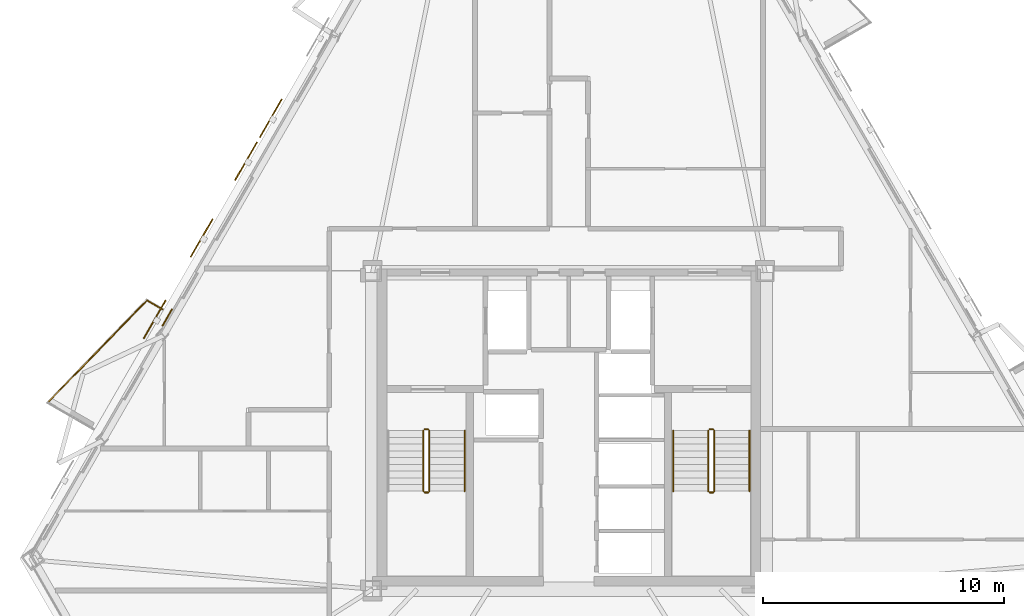
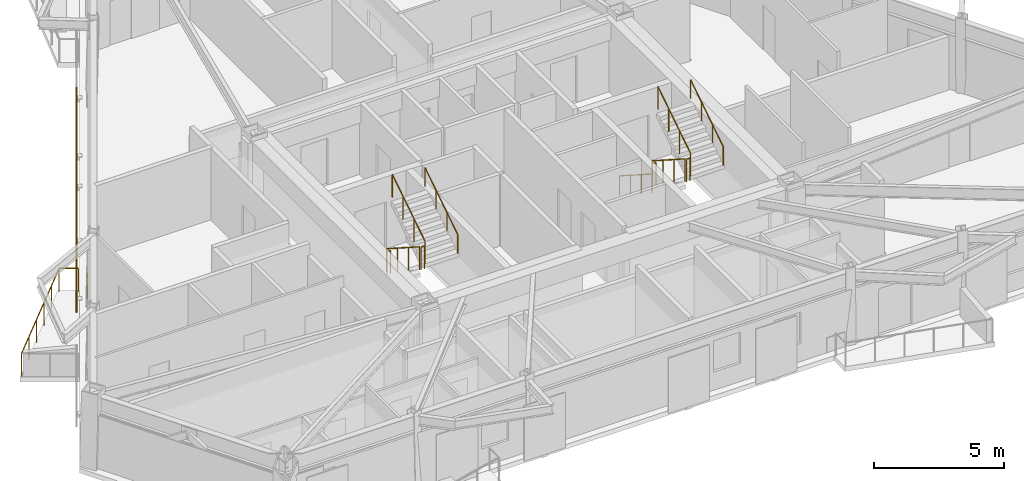
# One storey, part 8 of 9: 13 railings, 4 shading devices, 1 covering.
"""IFC4 building model written with IfcOpenShell, lengths in metres."""

from ifc_helpers import new_model, si_unit, direction, frame, origin, origin_2d, place, context, subcontext, project, spatial, rectangle, circle, extrude, material, layer, layer_set, type_object, element, save


model = new_model("IFC4")

# Units and contexts
model_context = context("Model", 3, precision=1e-05, world=origin(), true_north=direction((0.0, 1.0)))
body_context = subcontext(model_context, "Body", "Model", "MODEL_VIEW")
ifc_project = project(units=[si_unit("LENGTHUNIT", "METRE"), si_unit("AREAUNIT", "SQUARE_METRE"), si_unit("VOLUMEUNIT", "CUBIC_METRE"), si_unit("PLANEANGLEUNIT", "RADIAN"), si_unit("MASSUNIT", "GRAM", prefix="KILO")], contexts=[model_context])

# Site, building, storey
site_placement = place(None, origin())
site = spatial("IfcSite", under=ifc_project, at=site_placement, CompositionType="ELEMENT")
building_placement = place(site_placement, origin())
building = spatial("IfcBuilding", under=site, at=building_placement, Name="Oramaril Tower", CompositionType="ELEMENT")
storey_placement = place(building_placement, frame((0.0, 0.0, 167.39990234375)))
storey = spatial("IfcBuildingStorey", under=building, at=storey_placement, Name="L44", CompositionType="ELEMENT", Elevation=167.39990234375)

# Covering
ifc_material_1 = material(Name="Warm Cream Limestone", Category="masonry")
ifc_layer = layer(ifc_material_1, 0.050048828125)
ifc_layer_set = layer_set([ifc_layer], Name="CVT-CLD")
covering_type = type_object("IfcCoveringType", Name="CVT-CLD", PredefinedType="CLADDING", material=ifc_layer_set)
covering_placement = place(storey_placement, frame((20.8271484375, 22.28466796875, 0.0400390625), z_axis=(0.0, 0.0, 1.0), x_axis=(-0.5, -0.866025403784, 0.0)))
element("IfcCovering", 1, at=covering_placement, inside=storey, type_object=covering_type, Name="L44 Warm Cream Limestone Spandrel Cladding", PredefinedType="CLADDING", context=body_context, shape_type="SweptSolid", body=[
    extrude(rectangle(XDim=0.800048828125, YDim=0.050048828125, at=origin_2d()), origin(), (0.0, 0.0, 1.0), 0.679931640625),
])

# Railings
ifc_material_2 = material(Name="Stainless Steel 316L", Category="steel")
railing_type_1 = type_object("IfcRailingType", Name="RLT-GRD", PredefinedType="GUARDRAIL", material=ifc_material_2)
railing_1_placement = place(storey_placement, frame((15.86572265625, 18.755126953125, 0.0)))
element("IfcRailing", 2, at=railing_1_placement, inside=storey, type_object=railing_type_1, Name="L44 Balcony Guardrail L44-BAL-NW2.2", PredefinedType="GUARDRAIL", context=body_context, shape_type="SweptSolid", body=[
    extrude(circle(Radius=0.02392578125, at=origin_2d()), frame((0.0, 0.0, 1.076171875), z_axis=(0.697186915353, 0.716889395277, 0.0), x_axis=(-0.716889395277, 0.697186915353, 0.0)), (0.0, 0.0, 1.0), 5.91064453125),
    extrude(circle(Radius=0.02099609375, at=origin_2d()), origin(), (0.0, 0.0, 1.0), 1.052001953125),
    extrude(circle(Radius=0.02099609375, at=origin_2d()), frame((0.82421875, 0.847412109375, 0.0)), (0.0, 0.0, 1.0), 1.052001953125),
    extrude(circle(Radius=0.02099609375, at=origin_2d()), frame((1.6484375, 1.69482421875, 0.0)), (0.0, 0.0, 1.0), 1.052001953125),
    extrude(circle(Radius=0.02099609375, at=origin_2d()), frame((2.472412109375, 2.54248046875, 0.0)), (0.0, 0.0, 1.0), 1.052001953125),
    extrude(circle(Radius=0.02099609375, at=origin_2d()), frame((3.296630859375, 3.389892578125, 0.0)), (0.0, 0.0, 1.0), 1.052001953125),
    extrude(circle(Radius=0.02099609375, at=origin_2d()), frame((4.120849609375, 4.2373046875, 0.0)), (0.0, 0.0, 1.0), 1.052001953125),
])
railing_2_placement = place(storey_placement, frame((19.986572265625, 22.992431640625, 0.0)))
element("IfcRailing", 3, at=railing_2_placement, inside=storey, type_object=railing_type_1, Name="L44 Balcony Guardrail L44-BAL-NW2.3", PredefinedType="GUARDRAIL", context=body_context, shape_type="SweptSolid", body=[
    extrude(circle(Radius=0.02392578125, at=origin_2d()), frame((0.0, 0.0, 1.076171875), z_axis=(0.865884080729, -0.500244698863, 0.0), x_axis=(0.500244698863, 0.865884080729, 0.0)), (0.0, 0.0, 1.0), 0.741943359375),
    extrude(circle(Radius=0.02099609375, at=origin_2d()), origin(), (0.0, 0.0, 1.0), 1.052001953125),
    extrude(circle(Radius=0.02099609375, at=origin_2d()), frame((0.642333984375, -0.37109375, 0.0)), (0.0, 0.0, 1.0), 1.052001953125),
])
railing_3_placement = place(storey_placement, frame((31.4599609375, 17.590087890625, 0.18017578125)))
element("IfcRailing", 4, at=railing_3_placement, inside=storey, type_object=railing_type_1, Name="L44 ST-1 stair guard 1", PredefinedType="GUARDRAIL", context=body_context, shape_type="SweptSolid", body=[
    extrude(circle(Radius=0.02392578125, at=origin_2d()), frame((0.0, 0.0, 1.076171875), z_axis=(0.0, -0.841199657755, 0.540724639528), x_axis=(1.0, 0.0, 0.0)), (0.0, 0.0, 1.0), 2.995849609375),
    extrude(circle(Radius=0.02099609375, at=origin_2d()), origin(), (0.0, 0.0, 1.0), 1.052001953125),
    extrude(circle(Radius=0.02099609375, at=origin_2d()), frame((0.0, -0.840087890625, 0.5400390625)), (0.0, 0.0, 1.0), 1.052001953125),
    extrude(circle(Radius=0.02099609375, at=origin_2d()), frame((0.0, -1.679931640625, 1.079833984375)), (0.0, 0.0, 1.0), 1.052001953125),
    extrude(circle(Radius=0.02099609375, at=origin_2d()), frame((0.0, -2.52001953125, 1.619873046875)), (0.0, 0.0, 1.0), 1.052001953125),
])
railing_4_placement = place(storey_placement, frame((31.510009765625, 15.02001953125, 1.800048828125)))
element("IfcRailing", 5, at=railing_4_placement, inside=storey, type_object=railing_type_1, Name="L44 ST-1 stair guard 2", PredefinedType="GUARDRAIL", context=body_context, shape_type="SweptSolid", body=[
    extrude(circle(Radius=0.02392578125, at=origin_2d()), frame((0.0, 0.0, 1.076171875), z_axis=(1.0, 0.0, 0.0), x_axis=(0.0, 1.0, 0.0)), (0.0, 0.0, 1.0), 0.14990234375),
    extrude(circle(Radius=0.02099609375, at=origin_2d()), origin(), (0.0, 0.0, 1.0), 1.052001953125),
    extrude(circle(Radius=0.02099609375, at=origin_2d()), frame((0.14990234375, 0.0, 0.0)), (0.0, 0.0, 1.0), 1.052001953125),
])
railing_5_placement = place(storey_placement, frame((31.7099609375, 15.070068359375, 1.97998046875)))
element("IfcRailing", 6, at=railing_5_placement, inside=storey, type_object=railing_type_1, Name="L44 ST-1 stair guard 3", PredefinedType="GUARDRAIL", context=body_context, shape_type="SweptSolid", body=[
    extrude(circle(Radius=0.02392578125, at=origin_2d()), frame((0.0, 0.0, 1.076171875), z_axis=(0.0, 0.841162588446, 0.540782303519), x_axis=(-1.0, 0.0, 0.0)), (0.0, 0.0, 1.0), 2.995849609375),
    extrude(circle(Radius=0.02099609375, at=origin_2d()), origin(), (0.0, 0.0, 1.0), 1.052001953125),
    extrude(circle(Radius=0.02099609375, at=origin_2d()), frame((0.0, 0.840087890625, 0.5400390625)), (0.0, 0.0, 1.0), 1.052001953125),
    extrude(circle(Radius=0.02099609375, at=origin_2d()), frame((0.0, 1.679931640625, 1.080078125)), (0.0, 0.0, 1.0), 1.052001953125),
    extrude(circle(Radius=0.02099609375, at=origin_2d()), frame((0.0, 2.52001953125, 1.6201171875)), (0.0, 0.0, 1.0), 1.052001953125),
])
railing_6_placement = place(storey_placement, frame((31.510009765625, 17.639892578125, 0.0)))
element("IfcRailing", 7, at=railing_6_placement, inside=storey, type_object=railing_type_1, Name="L44 ST-1 stair guard 4", PredefinedType="GUARDRAIL", context=body_context, shape_type="SweptSolid", body=[
    extrude(circle(Radius=0.02392578125, at=origin_2d()), frame((0.0, 0.0, 1.076171875), z_axis=(1.0, 0.0, 0.0), x_axis=(0.0, 1.0, 0.0)), (0.0, 0.0, 1.0), 0.14990234375),
    extrude(circle(Radius=0.02099609375, at=origin_2d()), origin(), (0.0, 0.0, 1.0), 1.052001953125),
    extrude(circle(Radius=0.02099609375, at=origin_2d()), frame((0.14990234375, 0.0, 0.0)), (0.0, 0.0, 1.0), 1.052001953125),
])
railing_7_placement = place(storey_placement, frame((43.2900390625, 17.590087890625, 0.18017578125)))
element("IfcRailing", 8, at=railing_7_placement, inside=storey, type_object=railing_type_1, Name="L44 ST-2 stair guard 1", PredefinedType="GUARDRAIL", context=body_context, shape_type="SweptSolid", body=[
    extrude(circle(Radius=0.02392578125, at=origin_2d()), frame((0.0, 0.0, 1.076171875), z_axis=(0.0, -0.841199657755, 0.540724639528), x_axis=(1.0, 0.0, 0.0)), (0.0, 0.0, 1.0), 2.995849609375),
    extrude(circle(Radius=0.02099609375, at=origin_2d()), origin(), (0.0, 0.0, 1.0), 1.052001953125),
    extrude(circle(Radius=0.02099609375, at=origin_2d()), frame((0.0, -0.840087890625, 0.5400390625)), (0.0, 0.0, 1.0), 1.052001953125),
    extrude(circle(Radius=0.02099609375, at=origin_2d()), frame((0.0, -1.679931640625, 1.079833984375)), (0.0, 0.0, 1.0), 1.052001953125),
    extrude(circle(Radius=0.02099609375, at=origin_2d()), frame((0.0, -2.52001953125, 1.619873046875)), (0.0, 0.0, 1.0), 1.052001953125),
])
railing_8_placement = place(storey_placement, frame((43.340087890625, 15.02001953125, 1.800048828125)))
element("IfcRailing", 9, at=railing_8_placement, inside=storey, type_object=railing_type_1, Name="L44 ST-2 stair guard 2", PredefinedType="GUARDRAIL", context=body_context, shape_type="SweptSolid", body=[
    extrude(circle(Radius=0.02392578125, at=origin_2d()), frame((0.0, 0.0, 1.076171875), z_axis=(1.0, 0.0, 0.0), x_axis=(0.0, 1.0, 0.0)), (0.0, 0.0, 1.0), 0.14990234375),
    extrude(circle(Radius=0.02099609375, at=origin_2d()), origin(), (0.0, 0.0, 1.0), 1.052001953125),
    extrude(circle(Radius=0.02099609375, at=origin_2d()), frame((0.14990234375, 0.0, 0.0)), (0.0, 0.0, 1.0), 1.052001953125),
])
railing_9_placement = place(storey_placement, frame((43.5400390625, 15.070068359375, 1.97998046875)))
element("IfcRailing", 10, at=railing_9_placement, inside=storey, type_object=railing_type_1, Name="L44 ST-2 stair guard 3", PredefinedType="GUARDRAIL", context=body_context, shape_type="SweptSolid", body=[
    extrude(circle(Radius=0.02392578125, at=origin_2d()), frame((0.0, 0.0, 1.076171875), z_axis=(0.0, 0.841162588446, 0.540782303519), x_axis=(-1.0, 0.0, 0.0)), (0.0, 0.0, 1.0), 2.995849609375),
    extrude(circle(Radius=0.02099609375, at=origin_2d()), origin(), (0.0, 0.0, 1.0), 1.052001953125),
    extrude(circle(Radius=0.02099609375, at=origin_2d()), frame((0.0, 0.840087890625, 0.5400390625)), (0.0, 0.0, 1.0), 1.052001953125),
    extrude(circle(Radius=0.02099609375, at=origin_2d()), frame((0.0, 1.679931640625, 1.080078125)), (0.0, 0.0, 1.0), 1.052001953125),
    extrude(circle(Radius=0.02099609375, at=origin_2d()), frame((0.0, 2.52001953125, 1.6201171875)), (0.0, 0.0, 1.0), 1.052001953125),
])
railing_10_placement = place(storey_placement, frame((43.340087890625, 17.639892578125, 0.0)))
element("IfcRailing", 11, at=railing_10_placement, inside=storey, type_object=railing_type_1, Name="L44 ST-2 stair guard 4", PredefinedType="GUARDRAIL", context=body_context, shape_type="SweptSolid", body=[
    extrude(circle(Radius=0.02392578125, at=origin_2d()), frame((0.0, 0.0, 1.076171875), z_axis=(1.0, 0.0, 0.0), x_axis=(0.0, 1.0, 0.0)), (0.0, 0.0, 1.0), 0.14990234375),
    extrude(circle(Radius=0.02099609375, at=origin_2d()), origin(), (0.0, 0.0, 1.0), 1.052001953125),
    extrude(circle(Radius=0.02099609375, at=origin_2d()), frame((0.14990234375, 0.0, 0.0)), (0.0, 0.0, 1.0), 1.052001953125),
])
ifc_material_3 = material(Name="Stainless Steel 316L", Category="steel")
railing_type_2 = type_object("IfcRailingType", Name="RLT-HND", PredefinedType="HANDRAIL", material=ifc_material_3)
railing_11_placement = place(storey_placement, frame((33.169921875, 15.070068359375, 1.97998046875)))
element("IfcRailing", 12, at=railing_11_placement, inside=storey, type_object=railing_type_2, Name="L44 ST-1 stair handrail 2", PredefinedType="HANDRAIL", context=body_context, shape_type="SweptSolid", body=[
    extrude(circle(Radius=0.02392578125, at=origin_2d()), frame((0.0, 0.0, 0.8759765625), z_axis=(0.0, 0.841162588446, 0.540782303519), x_axis=(-1.0, 0.0, 0.0)), (0.0, 0.0, 1.0), 2.995849609375),
    extrude(circle(Radius=0.02099609375, at=origin_2d()), origin(), (0.0, 0.0, 1.0), 0.851806640625),
    extrude(circle(Radius=0.02099609375, at=origin_2d()), frame((0.0, 0.840087890625, 0.5400390625)), (0.0, 0.0, 1.0), 0.851806640625),
    extrude(circle(Radius=0.02099609375, at=origin_2d()), frame((0.0, 1.679931640625, 1.080078125)), (0.0, 0.0, 1.0), 0.851806640625),
    extrude(circle(Radius=0.02099609375, at=origin_2d()), frame((0.0, 2.52001953125, 1.6201171875)), (0.0, 0.0, 1.0), 0.851806640625),
])
railing_12_placement = place(storey_placement, frame((41.830078125, 17.590087890625, 0.18017578125)))
element("IfcRailing", 13, at=railing_12_placement, inside=storey, type_object=railing_type_2, Name="L44 ST-2 stair handrail 1", PredefinedType="HANDRAIL", context=body_context, shape_type="SweptSolid", body=[
    extrude(circle(Radius=0.02392578125, at=origin_2d()), frame((0.0, 0.0, 0.8759765625), z_axis=(0.0, -0.841199657755, 0.540724639528), x_axis=(1.0, 0.0, 0.0)), (0.0, 0.0, 1.0), 2.995849609375),
    extrude(circle(Radius=0.02099609375, at=origin_2d()), origin(), (0.0, 0.0, 1.0), 0.851806640625),
    extrude(circle(Radius=0.02099609375, at=origin_2d()), frame((0.0, -0.840087890625, 0.5400390625)), (0.0, 0.0, 1.0), 0.851806640625),
    extrude(circle(Radius=0.02099609375, at=origin_2d()), frame((0.0, -1.679931640625, 1.079833984375)), (0.0, 0.0, 1.0), 0.851806640625),
    extrude(circle(Radius=0.02099609375, at=origin_2d()), frame((0.0, -2.52001953125, 1.619873046875)), (0.0, 0.0, 1.0), 0.851806640625),
])
railing_13_placement = place(storey_placement, frame((45.0, 15.070068359375, 1.97998046875)))
element("IfcRailing", 14, at=railing_13_placement, inside=storey, type_object=railing_type_2, Name="L44 ST-2 stair handrail 2", PredefinedType="HANDRAIL", context=body_context, shape_type="SweptSolid", body=[
    extrude(circle(Radius=0.02392578125, at=origin_2d()), frame((0.0, 0.0, 0.8759765625), z_axis=(0.0, 0.841162588446, 0.540782303519), x_axis=(-1.0, 0.0, 0.0)), (0.0, 0.0, 1.0), 2.995849609375),
    extrude(circle(Radius=0.02099609375, at=origin_2d()), origin(), (0.0, 0.0, 1.0), 0.851806640625),
    extrude(circle(Radius=0.02099609375, at=origin_2d()), frame((0.0, 0.840087890625, 0.5400390625)), (0.0, 0.0, 1.0), 0.851806640625),
    extrude(circle(Radius=0.02099609375, at=origin_2d()), frame((0.0, 1.679931640625, 1.080078125)), (0.0, 0.0, 1.0), 0.851806640625),
    extrude(circle(Radius=0.02099609375, at=origin_2d()), frame((0.0, 2.52001953125, 1.6201171875)), (0.0, 0.0, 1.0), 0.851806640625),
])

# Shading devices
for number, where, z_axis, x_axis, name in (
    (15, (22.256591796875, 25.58447265625, -0.02001953125), (0.0, 0.0, 1.0), (-0.5, -0.866025403784, 0.0), "L44 Perforated Ceramic Solar Screen"),
    (16, (20.306640625, 22.206787109375, -0.02001953125), (0.0, 0.0, 1.0), (-0.5, -0.866025403784, 0.0), "L44 Perforated Ceramic Solar Screen"),
    (17, (25.126220703125, 30.5546875, -0.02001953125), (0.0, 0.0, 1.0), (-0.5, -0.866025403784, 0.0), "L44 Perforated Ceramic Solar Screen"),
    (18, (24.098876953125, 28.775146484375, -0.02001953125), (0.0, 0.0, 1.0), (-0.5, -0.866025403784, 0.0), "L44 Perforated Ceramic Solar Screen"),
):
    element("IfcShadingDevice", number, at=place(storey_placement, frame(where, z_axis=z_axis, x_axis=x_axis)), inside=storey, Name=name, ObjectType="SCREEN", PredefinedType="USERDEFINED", context=body_context, shape_type="SweptSolid", body=[
        extrude(rectangle(XDim=1.8330078125, YDim=0.050048828125, at=origin_2d()), origin(), (0.0, 0.0, 1.0), 2.60009765625),
    ])

save(model, "model.ifc")
